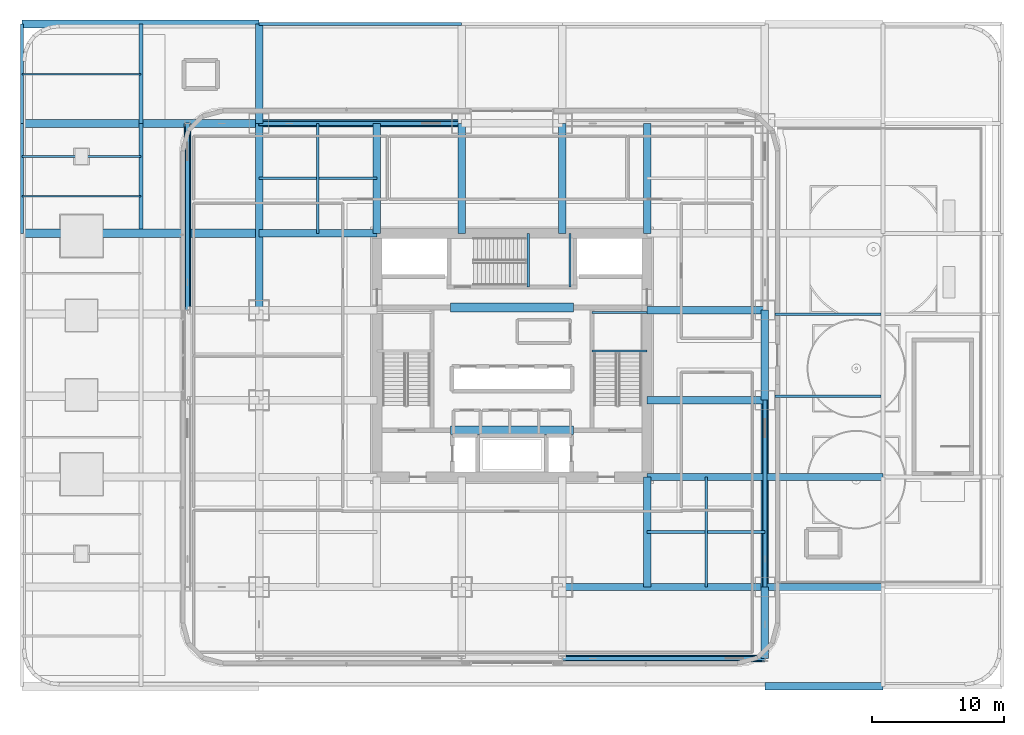
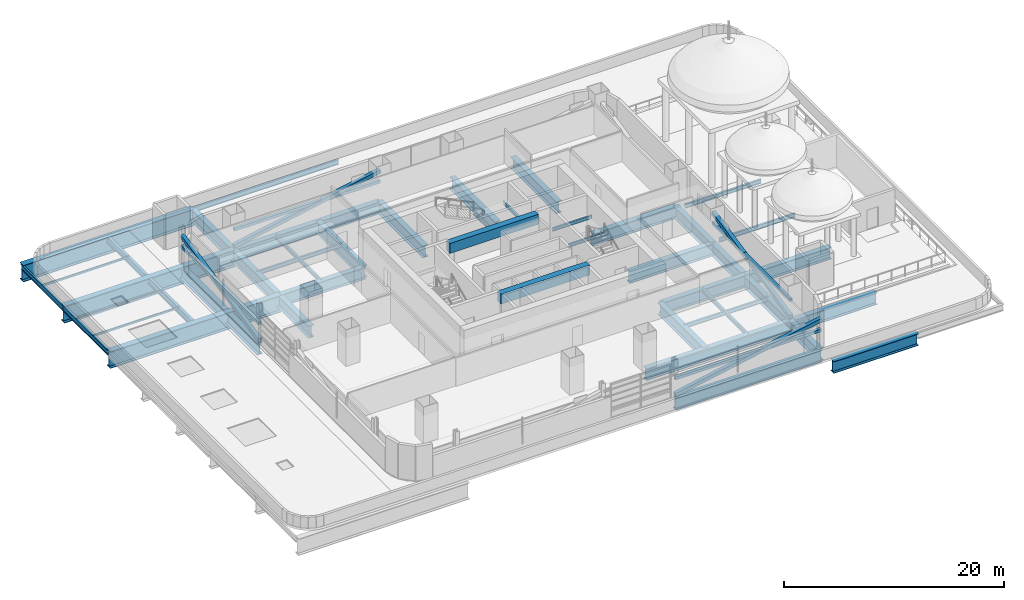
# One storey, part 7 of 30: 41 beams, 11 members.
"""IFC4 building model written with IfcOpenShell, lengths in metres."""

from ifc_helpers import new_model, si_unit, direction, frame, origin, origin_2d, place, context, subcontext, project, spatial, rectangle, hollow_rectangle, i_section, extrude, material, material_profile, profile_set, type_object, element, save


model = new_model("IFC4")

# Units and contexts
model_context = context("Model", 3, precision=1e-05, world=origin(), true_north=direction((0.0, 1.0)))
body_context = subcontext(model_context, "Body", "Model", "MODEL_VIEW")
ifc_project = project(units=[si_unit("LENGTHUNIT", "METRE"), si_unit("AREAUNIT", "SQUARE_METRE"), si_unit("VOLUMEUNIT", "CUBIC_METRE"), si_unit("PLANEANGLEUNIT", "RADIAN"), si_unit("MASSUNIT", "GRAM", prefix="KILO")], contexts=[model_context])

# Site, building, storey
site_placement = place(None, origin())
site = spatial("IfcSite", under=ifc_project, at=site_placement, CompositionType="ELEMENT")
building_placement = place(site_placement, origin())
building = spatial("IfcBuilding", under=site, at=building_placement, Name="Punatoya Terracotta Tower", CompositionType="ELEMENT")
storey_placement = place(building_placement, frame((0.0, 0.0, 28.199951171875)))
storey = spatial("IfcBuildingStorey", under=building, at=storey_placement, Name="L05", CompositionType="ELEMENT", Elevation=28.199951171875)

# Beams
ifc_material_1 = material(Name="Steel S355", Category="steel")
ifc_material_profile_1 = material_profile(ifc_material_1, i_section(OverallWidth=0.300048828125, OverallDepth=0.699951171875, WebThickness=0.01708984375, FlangeThickness=0.031982421875, FilletRadius=0.01806640625, at=origin_2d()))
ifc_profile_set_1 = profile_set([ifc_material_profile_1], Name="Steel S355")
beam_type_1 = type_object("IfcBeamType", Name="BM-PRI-700", PredefinedType="BEAM", material=ifc_profile_set_1)
beam_1_placement = place(storey_placement, frame((-28.0, 9.510009765625, -0.6298828125), z_axis=(0.0, 1.0, 0.0), x_axis=(-1.0, 0.0, 0.0)))
element("IfcBeam", 1, at=beam_1_placement, inside=storey, type_object=beam_type_1, Name="BM-L05-X28W-9", PredefinedType="BEAM", context=body_context, shape_type="SweptSolid", body=[
    extrude(i_section(OverallWidth=0.300048828125, OverallDepth=0.699951171875, WebThickness=0.01708984375, FlangeThickness=0.031982421875, FilletRadius=0.01806640625, at=origin_2d()), origin(), (0.0, 0.0, 1.0), 7.989990234375),
])
beam_2_placement = place(storey_placement, frame((-28.0, 17.5, -0.6298828125), z_axis=(0.0, 1.0, 0.0), x_axis=(-1.0, 0.0, 0.0)))
element("IfcBeam", 2, at=beam_2_placement, inside=storey, type_object=beam_type_1, Name="BM-L05-X28W-17", PredefinedType="BEAM", context=body_context, shape_type="SweptSolid", body=[
    extrude(i_section(OverallWidth=0.300048828125, OverallDepth=0.699951171875, WebThickness=0.01708984375, FlangeThickness=0.031982421875, FilletRadius=0.01806640625, at=origin_2d()), origin(), (0.0, 0.0, 1.0), 7.5),
])
ifc_material_2 = material(Name="Concrete C60/75", Category="concrete")
ifc_material_profile_2 = material_profile(ifc_material_2, rectangle(XDim=0.64990234375, YDim=1.10009765625, at=origin_2d()))
ifc_profile_set_2 = profile_set([ifc_material_profile_2], Name="Concrete C60/75")
beam_type_2 = type_object("IfcBeamType", Name="BM-RC-1100", PredefinedType="LINTEL", material=ifc_profile_set_2)
for number, where, z_axis, x_axis, name in (
    (3, (-4.64990234375, -5.679931640625, 3.260009765625), (1.0, 0.0, 0.0), (0.0, 1.0, 0.0), "L05 Core Coupling Lintel CSW"),
    (4, (-4.64990234375, 3.60009765625, 3.260009765625), (1.0, 0.0, 0.0), (0.0, 1.0, 0.0), "L05 Core Coupling Lintel CNW"),
):
    element("IfcBeam", number, at=place(storey_placement, frame(where, z_axis=z_axis, x_axis=x_axis)), inside=storey, type_object=beam_type_2, Name=name, PredefinedType="LINTEL", context=body_context, shape_type="SweptSolid", body=[
        extrude(rectangle(XDim=0.64990234375, YDim=1.10009765625, at=origin_2d()), origin(), (0.0, 0.0, 1.0), 9.2998046875),
    ])
ifc_material_profile_3 = material_profile(ifc_material_1, i_section(OverallWidth=0.169921875, OverallDepth=0.360107421875, WebThickness=0.008056640625, FlangeThickness=0.0126953125, FilletRadius=0.01806640625, at=origin_2d()))
ifc_profile_set_3 = profile_set([ifc_material_profile_3], Name="Steel S355")
beam_type_3 = type_object("IfcBeamType", Name="BM-SEC-360", PredefinedType="JOIST", material=ifc_profile_set_3)
for number, where, z_axis, x_axis, name in (
    (5, (6.050048828125, 0.320068359375, 1.64501953125), (1.0, 0.0, 0.0), (0.0, 1.0, 0.0), "BM-L05-ST-2-LD1A"),
    (6, (6.050048828125, 3.22998046875, 1.64501953125), (1.0, 0.0, 0.0), (0.0, 1.0, 0.0), "BM-L05-ST-2-LD1B"),
):
    element("IfcBeam", number, at=place(storey_placement, frame(where, z_axis=z_axis, x_axis=x_axis)), inside=storey, type_object=beam_type_3, Name=name, PredefinedType="JOIST", context=body_context, shape_type="SweptSolid", body=[
        extrude(i_section(OverallWidth=0.169921875, OverallDepth=0.360107421875, WebThickness=0.008056640625, FlangeThickness=0.0126953125, FilletRadius=0.01806640625, at=origin_2d()), origin(), (0.0, 0.0, 1.0), 4.14990234375),
    ])
for number, where, z_axis, x_axis, name in (
    (7, (1.219970703125, 5.14990234375, 1.64501953125), (0.0, 1.0, 0.0), (-1.0, 0.0, 0.0), "BM-L05-ST-3-LD1A"),
    (8, (4.3798828125, 5.14990234375, 1.64501953125), (0.0, 1.0, 0.0), (-1.0, 0.0, 0.0), "BM-L05-ST-3-LD1B"),
):
    element("IfcBeam", number, at=place(storey_placement, frame(where, z_axis=z_axis, x_axis=x_axis)), inside=storey, type_object=beam_type_3, Name=name, PredefinedType="JOIST", context=body_context, shape_type="SweptSolid", body=[
        extrude(i_section(OverallWidth=0.169921875, OverallDepth=0.360107421875, WebThickness=0.008056640625, FlangeThickness=0.0126953125, FilletRadius=0.01806640625, at=origin_2d()), origin(), (0.0, 0.0, 1.0), 4.050048828125),
    ])
ifc_material_profile_4 = material_profile(ifc_material_1, i_section(OverallWidth=0.18994140625, OverallDepth=0.449951171875, WebThickness=0.009521484375, FlangeThickness=0.0146484375, FilletRadius=0.01806640625, at=origin_2d()))
ifc_profile_set_4 = profile_set([ifc_material_profile_4], Name="Steel S355")
beam_type_4 = type_object("IfcBeamType", Name="BM-SEC-450", PredefinedType="JOIST", material=ifc_profile_set_4)
for number, where, z_axis, x_axis, name in (
    (9, (-19.10009765625, 13.35009765625, -0.5048828125), (1.0, 0.0, 0.0), (0.0, 1.0, 0.0), "BM-L05-SJN-1"),
    (10, (10.199951171875, -13.35009765625, -0.5048828125), (1.0, 0.0, 0.0), (0.0, 1.0, 0.0), "BM-L05-SJS-2"),
):
    element("IfcBeam", number, at=place(storey_placement, frame(where, z_axis=z_axis, x_axis=x_axis)), inside=storey, type_object=beam_type_4, Name=name, PredefinedType="JOIST", context=body_context, shape_type="SweptSolid", body=[
        extrude(i_section(OverallWidth=0.18994140625, OverallDepth=0.449951171875, WebThickness=0.009521484375, FlangeThickness=0.0146484375, FilletRadius=0.01806640625, at=origin_2d()), origin(), (0.0, 0.0, 1.0), 8.900146484375),
    ])
for number, where, z_axis, x_axis, name in (
    (11, (14.64990234375, -17.5, -0.5048828125), (0.0, 1.0, 0.0), (-1.0, 0.0, 0.0), "BM-L05-SJE-1"),
    (12, (-14.64990234375, 9.199951171875, -0.5048828125), (0.0, 1.0, 0.0), (-1.0, 0.0, 0.0), "BM-L05-SJW-2"),
):
    element("IfcBeam", number, at=place(storey_placement, frame(where, z_axis=z_axis, x_axis=x_axis)), inside=storey, type_object=beam_type_4, Name=name, PredefinedType="JOIST", context=body_context, shape_type="SweptSolid", body=[
        extrude(i_section(OverallWidth=0.18994140625, OverallDepth=0.449951171875, WebThickness=0.009521484375, FlangeThickness=0.0146484375, FilletRadius=0.01806640625, at=origin_2d()), origin(), (0.0, 0.0, 1.0), 8.300048828125),
    ])
for number, where, z_axis, x_axis, name in (
    (13, (19.85009765625, -3.10009765625, -0.5048828125), (1.0, 0.0, 0.0), (0.0, 1.0, 0.0), "BM-L05-WNGJ-E1--31"),
    (14, (19.85009765625, 3.10009765625, -0.5048828125), (1.0, 0.0, 0.0), (0.0, 1.0, 0.0), "BM-L05-WNGJ-E1-31"),
):
    element("IfcBeam", number, at=place(storey_placement, frame(where, z_axis=z_axis, x_axis=x_axis)), inside=storey, type_object=beam_type_4, Name=name, PredefinedType="JOIST", context=body_context, shape_type="SweptSolid", body=[
        extrude(i_section(OverallWidth=0.18994140625, OverallDepth=0.449951171875, WebThickness=0.009521484375, FlangeThickness=0.0146484375, FilletRadius=0.01806640625, at=origin_2d()), origin(), (0.0, 0.0, 1.0), 8.0),
    ])
ifc_material_profile_5 = material_profile(ifc_material_1, i_section(OverallWidth=0.2099609375, OverallDepth=0.550048828125, WebThickness=0.010986328125, FlangeThickness=0.01708984375, FilletRadius=0.01806640625, at=origin_2d()))
ifc_profile_set_5 = profile_set([ifc_material_profile_5], Name="Steel S355")
beam_type_5 = type_object("IfcBeamType", Name="BM-SPN-550", PredefinedType="SPANDREL", material=ifc_profile_set_5)
beam_3_placement = place(storey_placement, frame((-37.0, 9.199951171875, -0.554931640625), z_axis=(0.0, 1.0, 0.0), x_axis=(-1.0, 0.0, 0.0)))
element("IfcBeam", 15, at=beam_3_placement, inside=storey, type_object=beam_type_5, Name="BM-L05-X37W-9", PredefinedType="SPANDREL", context=body_context, shape_type="SweptSolid", body=[
    extrude(i_section(OverallWidth=0.2099609375, OverallDepth=0.550048828125, WebThickness=0.010986328125, FlangeThickness=0.01708984375, FilletRadius=0.01806640625, at=origin_2d()), origin(), (0.0, 0.0, 1.0), 8.300048828125),
])
beam_4_placement = place(storey_placement, frame((-37.0, 17.5, -0.554931640625), z_axis=(0.0, 1.0, 0.0), x_axis=(-1.0, 0.0, 0.0)))
element("IfcBeam", 16, at=beam_4_placement, inside=storey, type_object=beam_type_5, Name="BM-L05-X37W-17", PredefinedType="SPANDREL", context=body_context, shape_type="SweptSolid", body=[
    extrude(i_section(OverallWidth=0.2099609375, OverallDepth=0.550048828125, WebThickness=0.010986328125, FlangeThickness=0.01708984375, FilletRadius=0.01806640625, at=origin_2d()), origin(), (0.0, 0.0, 1.0), 7.5),
])
beam_5_placement = place(storey_placement, frame((-19.10009765625, 25.0, -0.554931640625), z_axis=(1.0, 0.0, 0.0), x_axis=(0.0, 1.0, 0.0)))
element("IfcBeam", 17, at=beam_5_placement, inside=storey, type_object=beam_type_5, Name="BM-L05-MIDH-1", PredefinedType="SPANDREL", context=body_context, shape_type="SweptSolid", body=[
    extrude(i_section(OverallWidth=0.2099609375, OverallDepth=0.550048828125, WebThickness=0.010986328125, FlangeThickness=0.01708984375, FilletRadius=0.01806640625, at=origin_2d()), origin(), (0.0, 0.0, 1.0), 15.300048828125),
])
ifc_material_3 = material(Name="Steel S460", Category="steel")
ifc_material_profile_6 = material_profile(ifc_material_3, i_section(OverallWidth=0.6201171875, OverallDepth=1.85009765625, WebThickness=0.0400390625, FlangeThickness=0.06005859375, FilletRadius=0.01806640625, at=origin_2d()))
ifc_profile_set_6 = profile_set([ifc_material_profile_6], Name="Steel S460")
beam_type_6 = type_object("IfcBeamType", Name="BM-TG-AUD", PredefinedType="BEAM", material=ifc_profile_set_6)
for number, where, z_axis, x_axis, name in (
    (18, (-37.0, 9.199951171875, -1.204833984375), (1.0, 0.0, 0.0), (0.0, 1.0, 0.0), "TG-L05-FW"),
    (19, (-37.0, 17.5, -1.204833984375), (1.0, 0.0, 0.0), (0.0, 1.0, 0.0), "TG-L05-GW"),
    (20, (-37.0, 25.0, -1.204833984375), (1.0, 0.0, 0.0), (0.0, 1.0, 0.0), "TG-L05-HW"),
):
    element("IfcBeam", number, at=place(storey_placement, frame(where, z_axis=z_axis, x_axis=x_axis)), inside=storey, type_object=beam_type_6, Name=name, PredefinedType="BEAM", context=body_context, shape_type="SweptSolid", body=[
        extrude(i_section(OverallWidth=0.6201171875, OverallDepth=1.85009765625, WebThickness=0.0400390625, FlangeThickness=0.06005859375, FilletRadius=0.01806640625, at=origin_2d()), origin(), (0.0, 0.0, 1.0), 17.89990234375),
    ])
ifc_material_profile_7 = material_profile(ifc_material_3, i_section(OverallWidth=0.56005859375, OverallDepth=1.320068359375, WebThickness=0.035888671875, FlangeThickness=0.054931640625, FilletRadius=0.01806640625, at=origin_2d()))
ifc_profile_set_7 = profile_set([ifc_material_profile_7], Name="Steel S460")
beam_type_7 = type_object("IfcBeamType", Name="BM-TG-BLK", PredefinedType="BEAM", material=ifc_profile_set_7)
for number, where, z_axis, x_axis, name in (
    (21, (3.800048828125, -17.5, -0.93994140625), (1.0, 0.0, 0.0), (0.0, 1.0, 0.0), "BM-L05-RG-S3"),
    (22, (-19.10009765625, 17.5, -0.93994140625), (1.0, 0.0, 0.0), (0.0, 1.0, 0.0), "BM-L05-RG-N1"),
):
    element("IfcBeam", number, at=place(storey_placement, frame(where, z_axis=z_axis, x_axis=x_axis)), inside=storey, type_object=beam_type_7, Name=name, PredefinedType="BEAM", context=body_context, shape_type="SweptSolid", body=[
        extrude(i_section(OverallWidth=0.56005859375, OverallDepth=1.320068359375, WebThickness=0.035888671875, FlangeThickness=0.054931640625, FilletRadius=0.01806640625, at=origin_2d()), origin(), (0.0, 0.0, 1.0), 15.300048828125),
    ])
for number, where, z_axis, x_axis, name in (
    (23, (-19.10009765625, 3.39990234375, -0.93994140625), (0.0, 1.0, 0.0), (-1.0, 0.0, 0.0), "BM-L05-RG-W3"),
    (24, (19.10009765625, -17.5, -0.93994140625), (0.0, 1.0, 0.0), (-1.0, 0.0, 0.0), "BM-L05-RG-E1"),
):
    element("IfcBeam", number, at=place(storey_placement, frame(where, z_axis=z_axis, x_axis=x_axis)), inside=storey, type_object=beam_type_7, Name=name, PredefinedType="BEAM", context=body_context, shape_type="SweptSolid", body=[
        extrude(i_section(OverallWidth=0.56005859375, OverallDepth=1.320068359375, WebThickness=0.035888671875, FlangeThickness=0.054931640625, FilletRadius=0.01806640625, at=origin_2d()), origin(), (0.0, 0.0, 1.0), 14.10009765625),
    ])
beam_6_placement = place(storey_placement, frame((19.10009765625, -3.39990234375, -0.93994140625), z_axis=(0.0, 1.0, 0.0), x_axis=(-1.0, 0.0, 0.0)))
element("IfcBeam", 25, at=beam_6_placement, inside=storey, type_object=beam_type_7, Name="BM-L05-RG-E2", PredefinedType="BEAM", context=body_context, shape_type="SweptSolid", body=[
    extrude(i_section(OverallWidth=0.56005859375, OverallDepth=1.320068359375, WebThickness=0.035888671875, FlangeThickness=0.054931640625, FilletRadius=0.01806640625, at=origin_2d()), origin(), (0.0, 0.0, 1.0), 6.7998046875),
])
for number, where, z_axis, x_axis, name in (
    (26, (-19.10009765625, 9.199951171875, -0.93994140625), (1.0, 0.0, 0.0), (0.0, 1.0, 0.0), "BM-L05-PR-WN"),
    (27, (10.199951171875, -9.199951171875, -0.93994140625), (1.0, 0.0, 0.0), (0.0, 1.0, 0.0), "BM-L05-PR-ES"),
    (28, (10.199951171875, -3.39990234375, -0.93994140625), (1.0, 0.0, 0.0), (0.0, 1.0, 0.0), "BM-L05-PR-ED"),
    (29, (10.199951171875, 3.39990234375, -0.93994140625), (1.0, 0.0, 0.0), (0.0, 1.0, 0.0), "BM-L05-PR-EE"),
):
    element("IfcBeam", number, at=place(storey_placement, frame(where, z_axis=z_axis, x_axis=x_axis)), inside=storey, type_object=beam_type_7, Name=name, PredefinedType="BEAM", context=body_context, shape_type="SweptSolid", body=[
        extrude(i_section(OverallWidth=0.56005859375, OverallDepth=1.320068359375, WebThickness=0.035888671875, FlangeThickness=0.054931640625, FilletRadius=0.01806640625, at=origin_2d()), origin(), (0.0, 0.0, 1.0), 8.900146484375),
    ])
for number, where, z_axis, x_axis, name in (
    (30, (10.199951171875, -17.5, -0.93994140625), (0.0, 1.0, 0.0), (-1.0, 0.0, 0.0), "BM-L05-PR-S4"),
    (31, (-10.199951171875, 9.199951171875, -0.93994140625), (0.0, 1.0, 0.0), (-1.0, 0.0, 0.0), "BM-L05-PR-N1"),
    (32, (-3.800048828125, 9.199951171875, -0.93994140625), (0.0, 1.0, 0.0), (-1.0, 0.0, 0.0), "BM-L05-PR-N2"),
    (33, (3.800048828125, 9.199951171875, -0.93994140625), (0.0, 1.0, 0.0), (-1.0, 0.0, 0.0), "BM-L05-PR-N3"),
    (34, (10.199951171875, 9.199951171875, -0.93994140625), (0.0, 1.0, 0.0), (-1.0, 0.0, 0.0), "BM-L05-PR-N4"),
):
    element("IfcBeam", number, at=place(storey_placement, frame(where, z_axis=z_axis, x_axis=x_axis)), inside=storey, type_object=beam_type_7, Name=name, PredefinedType="BEAM", context=body_context, shape_type="SweptSolid", body=[
        extrude(i_section(OverallWidth=0.56005859375, OverallDepth=1.320068359375, WebThickness=0.035888671875, FlangeThickness=0.054931640625, FilletRadius=0.01806640625, at=origin_2d()), origin(), (0.0, 0.0, 1.0), 8.300048828125),
    ])
for number, where, z_axis, x_axis, name in (
    (35, (19.10009765625, -25.0, -0.93994140625), (1.0, 0.0, 0.0), (0.0, 1.0, 0.0), "BM-L05-AE1"),
    (36, (19.10009765625, -17.5, -0.93994140625), (1.0, 0.0, 0.0), (0.0, 1.0, 0.0), "BM-L05-BE1"),
    (37, (19.10009765625, -9.199951171875, -0.93994140625), (1.0, 0.0, 0.0), (0.0, 1.0, 0.0), "BM-L05-CE1"),
):
    element("IfcBeam", number, at=place(storey_placement, frame(where, z_axis=z_axis, x_axis=x_axis)), inside=storey, type_object=beam_type_7, Name=name, PredefinedType="BEAM", context=body_context, shape_type="SweptSolid", body=[
        extrude(i_section(OverallWidth=0.56005859375, OverallDepth=1.320068359375, WebThickness=0.035888671875, FlangeThickness=0.054931640625, FilletRadius=0.01806640625, at=origin_2d()), origin(), (0.0, 0.0, 1.0), 8.89990234375),
    ])
beam_7_placement = place(storey_placement, frame((-19.10009765625, 17.5, -0.93994140625), z_axis=(0.0, 1.0, 0.0), x_axis=(-1.0, 0.0, 0.0)))
element("IfcBeam", 38, at=beam_7_placement, inside=storey, type_object=beam_type_7, Name="BM-L05-PRN--19", PredefinedType="BEAM", context=body_context, shape_type="SweptSolid", body=[
    extrude(i_section(OverallWidth=0.56005859375, OverallDepth=1.320068359375, WebThickness=0.035888671875, FlangeThickness=0.054931640625, FilletRadius=0.01806640625, at=origin_2d()), origin(), (0.0, 0.0, 1.0), 7.5),
])
beam_8_placement = place(storey_placement, frame((19.10009765625, -22.89990234375, -0.93994140625), z_axis=(0.0, 1.0, 0.0), x_axis=(-1.0, 0.0, 0.0)))
element("IfcBeam", 39, at=beam_8_placement, inside=storey, type_object=beam_type_7, Name="BM-L05-CANT-S4", PredefinedType="BEAM", context=body_context, shape_type="SweptSolid", body=[
    extrude(i_section(OverallWidth=0.56005859375, OverallDepth=1.320068359375, WebThickness=0.035888671875, FlangeThickness=0.054931640625, FilletRadius=0.01806640625, at=origin_2d()), origin(), (0.0, 0.0, 1.0), 5.39990234375),
])
beam_9_placement = place(storey_placement, frame((3.800048828125, -22.89990234375, -0.93994140625), z_axis=(1.0, 0.0, 0.0), x_axis=(0.0, 1.0, 0.0)))
element("IfcBeam", 40, at=beam_9_placement, inside=storey, type_object=beam_type_7, Name="BM-L05-PER-S3", PredefinedType="BEAM", context=body_context, shape_type="SweptSolid", body=[
    extrude(i_section(OverallWidth=0.56005859375, OverallDepth=1.320068359375, WebThickness=0.035888671875, FlangeThickness=0.054931640625, FilletRadius=0.01806640625, at=origin_2d()), origin(), (0.0, 0.0, 1.0), 15.300048828125),
])
beam_10_placement = place(storey_placement, frame((-24.5, 3.39990234375, -0.93994140625), z_axis=(0.0, 1.0, 0.0), x_axis=(-1.0, 0.0, 0.0)))
element("IfcBeam", 41, at=beam_10_placement, inside=storey, type_object=beam_type_7, Name="BM-L05-PER-W3", PredefinedType="BEAM", context=body_context, shape_type="SweptSolid", body=[
    extrude(i_section(OverallWidth=0.56005859375, OverallDepth=1.320068359375, WebThickness=0.035888671875, FlangeThickness=0.054931640625, FilletRadius=0.01806640625, at=origin_2d()), origin(), (0.0, 0.0, 1.0), 14.10009765625),
])

# Members
ifc_material_profile_8 = material_profile(ifc_material_3, hollow_rectangle(XDim=0.320068359375, YDim=0.320068359375, WallThickness=0.01806640625, at=origin_2d()))
ifc_profile_set_8 = profile_set([ifc_material_profile_8], Name="Steel S460")
member_type_1 = type_object("IfcMemberType", Name="MEM-CHD-320", PredefinedType="CHORD", material=ifc_profile_set_8)
for number, where, z_axis, x_axis, name in (
    (42, (3.800048828125, -22.89990234375, 1.85009765625), (1.0, 0.0, 0.0), (0.0, 1.0, 0.0), "L05 Exoskeleton Belt Truss Tie Chord S3"),
    (43, (-19.10009765625, 17.5, 1.85009765625), (1.0, 0.0, 0.0), (0.0, 1.0, 0.0), "L05 Exoskeleton Belt Truss Tie Chord N1"),
):
    element("IfcMember", number, at=place(storey_placement, frame(where, z_axis=z_axis, x_axis=x_axis)), inside=storey, type_object=member_type_1, Name=name, PredefinedType="CHORD", context=body_context, shape_type="SweptSolid", body=[
        extrude(hollow_rectangle(XDim=0.320068359375, YDim=0.320068359375, WallThickness=0.01806640625, at=origin_2d()), origin(), (0.0, 0.0, 1.0), 15.300048828125),
    ])
for number, where, z_axis, x_axis, name in (
    (44, (-24.5, 3.39990234375, 1.85009765625), (0.0, 1.0, 0.0), (-1.0, 0.0, 0.0), "L05 Exoskeleton Belt Truss Tie Chord W3"),
    (45, (19.10009765625, -17.5, 1.85009765625), (0.0, 1.0, 0.0), (-1.0, 0.0, 0.0), "L05 Exoskeleton Belt Truss Tie Chord E1"),
):
    element("IfcMember", number, at=place(storey_placement, frame(where, z_axis=z_axis, x_axis=x_axis)), inside=storey, type_object=member_type_1, Name=name, PredefinedType="CHORD", context=body_context, shape_type="SweptSolid", body=[
        extrude(hollow_rectangle(XDim=0.320068359375, YDim=0.320068359375, WallThickness=0.01806640625, at=origin_2d()), origin(), (0.0, 0.0, 1.0), 14.10009765625),
    ])
ifc_material_profile_9 = material_profile(ifc_material_3, hollow_rectangle(XDim=0.39990234375, YDim=0.39990234375, WallThickness=0.02197265625, at=origin_2d()))
ifc_profile_set_9 = profile_set([ifc_material_profile_9], Name="Steel S460")
member_type_2 = type_object("IfcMemberType", Name="MEM-EXO-400", PredefinedType="BRACE", material=ifc_profile_set_9)
for number, where, z_axis, x_axis, name in (
    (46, (3.800048828125, -22.89990234375, 0.02001953125), (0.981434908309, 0.0, 0.191795518072), (0.0, 1.0, 0.0), "L05 Exoskeleton Belt Brace S3"),
    (47, (-19.10009765625, 17.5, 0.02001953125), (0.981434908309, 0.0, 0.191795518072), (0.0, 1.0, 0.0), "L05 Exoskeleton Belt Brace N1"),
):
    element("IfcMember", number, at=place(storey_placement, frame(where, z_axis=z_axis, x_axis=x_axis)), inside=storey, type_object=member_type_2, Name=name, PredefinedType="BRACE", context=body_context, shape_type="SweptSolid", body=[
        extrude(hollow_rectangle(XDim=0.39990234375, YDim=0.39990234375, WallThickness=0.02197265625, at=origin_2d()), origin(), (0.0, 0.0, 1.0), 15.58935546875),
    ])
for number, where, z_axis, x_axis, name in (
    (48, (-24.5, 3.39990234375, 0.02001953125), (0.0, 0.978247355132, 0.207441828415), (-1.0, 0.0, 0.0), "L05 Exoskeleton Belt Brace W3"),
    (49, (19.10009765625, -17.5, 0.02001953125), (0.0, 0.978247355132, 0.207441828415), (-1.0, 0.0, 0.0), "L05 Exoskeleton Belt Brace E1"),
):
    element("IfcMember", number, at=place(storey_placement, frame(where, z_axis=z_axis, x_axis=x_axis)), inside=storey, type_object=member_type_2, Name=name, PredefinedType="BRACE", context=body_context, shape_type="SweptSolid", body=[
        extrude(hollow_rectangle(XDim=0.39990234375, YDim=0.39990234375, WallThickness=0.02197265625, at=origin_2d()), origin(), (0.0, 0.0, 1.0), 14.41357421875),
    ])
ifc_material_profile_10 = material_profile(ifc_material_1, hollow_rectangle(XDim=0.1201171875, YDim=0.219970703125, WallThickness=0.010009765625, at=origin_2d()))
ifc_profile_set_10 = profile_set([ifc_material_profile_10], Name="Steel S355")
member_type_3 = type_object("IfcMemberType", Name="MEM-PRL-220", PredefinedType="PURLIN", material=ifc_profile_set_10)
for number, where, z_axis, x_axis, name in (
    (50, (-37.0, 12.0, -0.35986328125), (1.0, 0.0, 0.0), (0.0, 1.0, 0.0), "L05 West Podium Skylight Purlin PRL-06"),
    (51, (-37.0, 15.0, -0.35986328125), (1.0, 0.0, 0.0), (0.0, 1.0, 0.0), "L05 West Podium Skylight Purlin PRL-07"),
    (52, (-37.0, 21.199951171875, -0.35986328125), (1.0, 0.0, 0.0), (0.0, 1.0, 0.0), "L05 West Podium Skylight Purlin PRL-08"),
):
    element("IfcMember", number, at=place(storey_placement, frame(where, z_axis=z_axis, x_axis=x_axis)), inside=storey, type_object=member_type_3, Name=name, PredefinedType="PURLIN", context=body_context, shape_type="SweptSolid", body=[
        extrude(hollow_rectangle(XDim=0.1201171875, YDim=0.219970703125, WallThickness=0.010009765625, at=origin_2d()), origin(), (0.0, 0.0, 1.0), 9.0),
    ])

save(model, "model.ifc")
